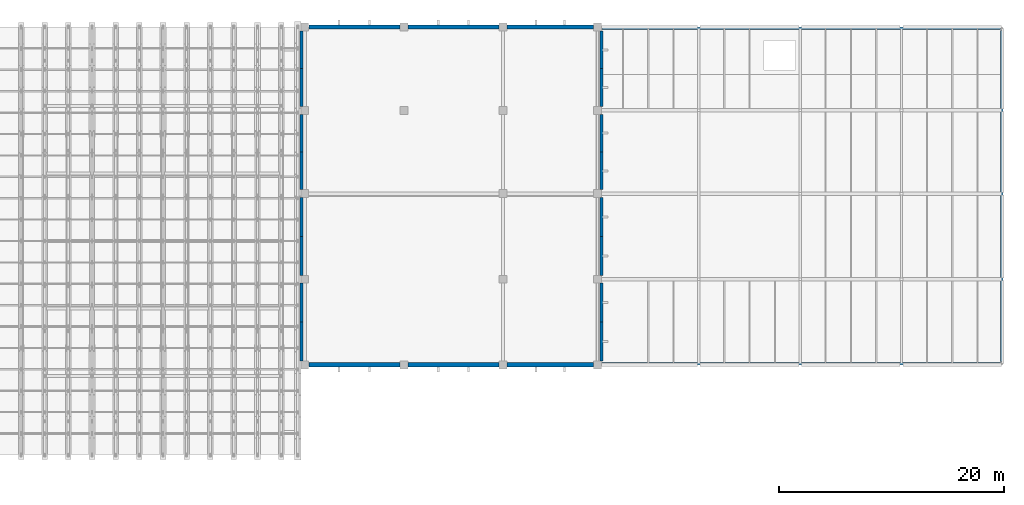
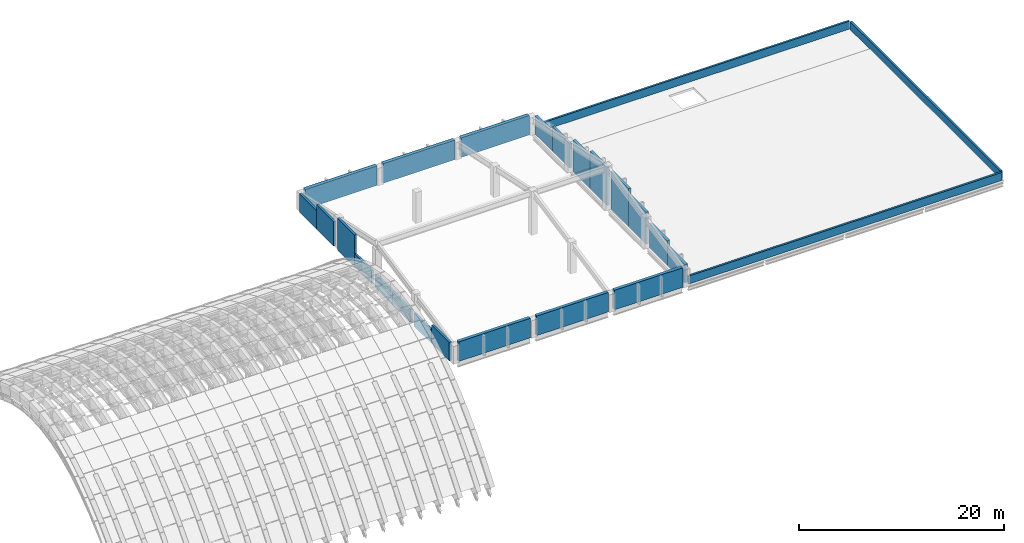
# One storey, part 66 of 67: 25 walls.
"""IFC4 building model written with IfcOpenShell, lengths in metres."""

from ifc_helpers import new_model, si_unit, direction, frame, frame_2d, origin, place, context, subcontext, project, spatial, rectangle, extrude, material, layer, layer_set, type_object, element, save


model = new_model("IFC4")

# Units and contexts
model_context = context("Model", 3, precision=1e-05, world=origin(), true_north=direction((0.0, 1.0)))
body_context = subcontext(model_context, "Body", "Model", "MODEL_VIEW")
ifc_project = project(units=[si_unit("LENGTHUNIT", "METRE"), si_unit("AREAUNIT", "SQUARE_METRE"), si_unit("VOLUMEUNIT", "CUBIC_METRE"), si_unit("PLANEANGLEUNIT", "RADIAN"), si_unit("MASSUNIT", "GRAM", prefix="KILO")], contexts=[model_context])

# Site, building, storey
site_placement = place(None, origin())
site = spatial("IfcSite", under=ifc_project, at=site_placement, CompositionType="ELEMENT")
building_placement = place(site_placement, origin())
building = spatial("IfcBuilding", under=site, at=building_placement, Name="Shengluoqiao Park Theatre", CompositionType="ELEMENT")
storey_placement = place(building_placement, frame((0.0, 0.0, 28.60009765625)))
storey = spatial("IfcBuildingStorey", under=building, at=storey_placement, Name="Roof", CompositionType="ELEMENT", Elevation=28.60009765625)

# Walls
ifc_material_1 = material(Name="Concrete C40", Category="concrete")
ifc_layer_1 = layer(ifc_material_1, 0.27001953125, Name="Concrete C40")
ifc_layer_set_1 = layer_set([ifc_layer_1], Name="Concrete C40")
wall_type_1 = type_object("IfcWallType", Name="ENV-WL-CONC270", PredefinedType="STANDARD", material=ifc_layer_set_1)
wall_1_placement = place(storey_placement, frame((112.739990234375, 84.35009765625, 0.0), z_axis=(0.0, 0.0, 1.0), x_axis=(0.0, 1.0, 0.0)))
element("IfcWall", 1, at=wall_1_placement, inside=storey, type_object=wall_type_1, Name="Roof Exterior Wall 0310", PredefinedType="STANDARD", context=body_context, shape_type="SweptSolid", body=[
    extrude(rectangle(XDim=3.449951171875, YDim=0.27001953125, at=frame_2d((1.72509765625, 0.0))), origin(), (0.0, 0.0, 1.0), 2.206298828125),
])
wall_2_placement = place(storey_placement, frame((112.739990234375, 87.800048828125, 0.0), z_axis=(0.0, 0.0, 1.0), x_axis=(0.0, 1.0, 0.0)))
element("IfcWall", 2, at=wall_2_placement, inside=storey, type_object=wall_type_1, Name="Roof Exterior Wall 0312", PredefinedType="STANDARD", context=body_context, shape_type="SweptSolid", body=[
    extrude(rectangle(XDim=3.449951171875, YDim=0.27001953125, at=frame_2d((1.72509765625, 0.0))), origin(), (0.0, 0.0, 1.0), 2.939697265625),
])
wall_3_placement = place(storey_placement, frame((112.739990234375, 91.949951171875, 0.0), z_axis=(0.0, 0.0, 1.0), x_axis=(0.0, 1.0, 0.0)))
element("IfcWall", 3, at=wall_3_placement, inside=storey, type_object=wall_type_1, Name="Roof Exterior Wall 0314", PredefinedType="STANDARD", context=body_context, shape_type="SweptSolid", body=[
    extrude(rectangle(XDim=3.449951171875, YDim=0.27001953125, at=frame_2d((1.72509765625, 0.0))), origin(), (0.0, 0.0, 1.0), 3.82177734375),
])
wall_4_placement = place(storey_placement, frame((112.739990234375, 95.39990234375, 0.0), z_axis=(0.0, 0.0, 1.0), x_axis=(0.0, 1.0, 0.0)))
element("IfcWall", 4, at=wall_4_placement, inside=storey, type_object=wall_type_1, Name="Roof Exterior Wall 0316", PredefinedType="STANDARD", context=body_context, shape_type="SweptSolid", body=[
    extrude(rectangle(XDim=3.4501953125, YDim=0.27001953125, at=frame_2d((1.72509765625, 0.0))), origin(), (0.0, 0.0, 1.0), 4.554931640625),
])
wall_5_placement = place(storey_placement, frame((112.739990234375, 99.550048828125, 0.0), z_axis=(0.0, 0.0, 1.0), x_axis=(0.0, 1.0, 0.0)))
element("IfcWall", 5, at=wall_5_placement, inside=storey, type_object=wall_type_1, Name="Roof Exterior Wall 0318", PredefinedType="STANDARD", context=body_context, shape_type="SweptSolid", body=[
    extrude(rectangle(XDim=3.349853515625, YDim=0.27001953125, at=frame_2d((1.6748046875, 0.0))), origin(), (0.0, 0.0, 1.0), 4.4912109375),
])
wall_6_placement = place(storey_placement, frame((112.739990234375, 102.89990234375, 0.0), z_axis=(0.0, 0.0, 1.0), x_axis=(0.0, 1.0, 0.0)))
element("IfcWall", 6, at=wall_6_placement, inside=storey, type_object=wall_type_1, Name="Roof Exterior Wall 0320", PredefinedType="STANDARD", context=body_context, shape_type="SweptSolid", body=[
    extrude(rectangle(XDim=3.35009765625, YDim=0.27001953125, at=frame_2d((1.675048828125, 0.0))), origin(), (0.0, 0.0, 1.0), 3.779296875),
])
wall_7_placement = place(storey_placement, frame((112.739990234375, 106.949951171875, 0.0), z_axis=(0.0, 0.0, 1.0), x_axis=(0.0, 1.0, 0.0)))
element("IfcWall", 7, at=wall_7_placement, inside=storey, type_object=wall_type_1, Name="Roof Exterior Wall 0322", PredefinedType="STANDARD", context=body_context, shape_type="SweptSolid", body=[
    extrude(rectangle(XDim=3.35009765625, YDim=0.27001953125, at=frame_2d((1.675048828125, 0.0))), origin(), (0.0, 0.0, 1.0), 2.91845703125),
])
wall_8_placement = place(storey_placement, frame((112.739990234375, 110.300048828125, 0.0), z_axis=(0.0, 0.0, 1.0), x_axis=(0.0, 1.0, 0.0)))
element("IfcWall", 8, at=wall_8_placement, inside=storey, type_object=wall_type_1, Name="Roof Exterior Wall 0324", PredefinedType="STANDARD", context=body_context, shape_type="SweptSolid", body=[
    extrude(rectangle(XDim=3.349853515625, YDim=0.27001953125, at=frame_2d((1.6748046875, 0.0))), origin(), (0.0, 0.0, 1.0), 2.206298828125),
])
ifc_material_2 = material(Name="Concrete C45", Category="concrete")
ifc_layer_2 = layer(ifc_material_2, 0.3798828125, Name="Concrete C45")
ifc_layer_set_2 = layer_set([ifc_layer_2], Name="Concrete C45")
wall_type_2 = type_object("IfcWallType", Name="ENV-WL-CONC380", PredefinedType="STANDARD", material=ifc_layer_set_2)
for number, where, z_axis, x_axis, name in (
    (9, (86.75390625, 114.0, 0.0), (0.0, 0.0, 1.0), (1.0, 0.0, 0.0), "Roof Exterior Wall 0304"),
    (10, (95.553955078125, 114.0, 0.0), (0.0, 0.0, 1.0), (1.0, 0.0, 0.0), "Roof Exterior Wall 0305"),
):
    element("IfcWall", number, at=place(storey_placement, frame(where, z_axis=z_axis, x_axis=x_axis)), inside=storey, type_object=wall_type_2, Name=name, PredefinedType="STANDARD", context=body_context, shape_type="SweptSolid", body=[
        extrude(rectangle(XDim=8.092041015625, YDim=0.3798828125, at=frame_2d((4.0458984375, 0.0))), origin(), (0.0, 0.0, 1.0), 2.33984375),
    ])
wall_9_placement = place(storey_placement, frame((104.35400390625, 114.0, 0.0), z_axis=(0.0, 0.0, 1.0), x_axis=(1.0, 0.0, 0.0)))
element("IfcWall", 11, at=wall_9_placement, inside=storey, type_object=wall_type_2, Name="Roof Exterior Wall 0306", PredefinedType="STANDARD", context=body_context, shape_type="SweptSolid", body=[
    extrude(rectangle(XDim=7.69189453125, YDim=0.3798828125, at=frame_2d((3.845947265625, 0.0))), origin(), (0.0, 0.0, 1.0), 2.33984375),
])
for number, where, z_axis, x_axis, name in (
    (12, (86.75390625, 84.0, 0.0), (0.0, 0.0, 1.0), (1.0, 0.0, 0.0), "Roof Exterior Wall 0307"),
    (13, (95.553955078125, 84.0, 0.0), (0.0, 0.0, 1.0), (1.0, 0.0, 0.0), "Roof Exterior Wall 0308"),
):
    element("IfcWall", number, at=place(storey_placement, frame(where, z_axis=z_axis, x_axis=x_axis)), inside=storey, type_object=wall_type_2, Name=name, PredefinedType="STANDARD", context=body_context, shape_type="SweptSolid", body=[
        extrude(rectangle(XDim=8.092041015625, YDim=0.3798828125, at=frame_2d((4.0458984375, 0.0))), origin(), (0.0, 0.0, 1.0), 2.33984375),
    ])
wall_10_placement = place(storey_placement, frame((104.35400390625, 84.0, 0.0), z_axis=(0.0, 0.0, 1.0), x_axis=(1.0, 0.0, 0.0)))
element("IfcWall", 14, at=wall_10_placement, inside=storey, type_object=wall_type_2, Name="Roof Exterior Wall 0309", PredefinedType="STANDARD", context=body_context, shape_type="SweptSolid", body=[
    extrude(rectangle(XDim=7.69189453125, YDim=0.3798828125, at=frame_2d((3.845947265625, 0.0))), origin(), (0.0, 0.0, 1.0), 2.33984375),
])
ifc_material_3 = material(Name="Precast concrete C45", Category="concrete")
ifc_layer_3 = layer(ifc_material_3, 0.25, Name="Precast concrete C45")
ifc_layer_set_3 = layer_set([ifc_layer_3], Name="Precast concrete C45")
wall_type_3 = type_object("IfcWallType", Name="ENV-WL-CRYS250", PredefinedType="STANDARD", material=ifc_layer_set_3)
wall_11_placement = place(storey_placement, frame((86.110107421875, 84.35009765625, 0.0), z_axis=(0.0, 0.0, 1.0), x_axis=(0.0, 1.0, 0.0)))
element("IfcWall", 15, at=wall_11_placement, inside=storey, type_object=wall_type_3, Name="Roof Exterior Wall 0311", PredefinedType="STANDARD", context=body_context, shape_type="SweptSolid", body=[
    extrude(rectangle(XDim=3.449951171875, YDim=0.25, at=frame_2d((1.72509765625, 0.0))), origin(), (0.0, 0.0, 1.0), 2.206298828125),
])
for number, where, z_axis, x_axis, name in (
    (16, (86.110107421875, 87.800048828125, 0.0), (0.0, 0.0, 1.0), (0.0, 1.0, 0.0), "Roof Exterior Wall 0313"),
    (17, (86.110107421875, 91.949951171875, 0.0), (0.0, 0.0, 1.0), (0.0, 1.0, 0.0), "Roof Exterior Wall 0315"),
):
    element("IfcWall", number, at=place(storey_placement, frame(where, z_axis=z_axis, x_axis=x_axis)), inside=storey, type_object=wall_type_3, Name=name, PredefinedType="STANDARD", context=body_context, shape_type="SweptSolid", body=[
        extrude(rectangle(XDim=3.449951171875, YDim=0.25, at=frame_2d((1.72509765625, 0.0))), origin(), (0.0, 0.0, 1.0), 1.5498046875),
    ])
wall_12_placement = place(storey_placement, frame((86.110107421875, 95.39990234375, 0.0), z_axis=(0.0, 0.0, 1.0), x_axis=(0.0, 1.0, 0.0)))
element("IfcWall", 18, at=wall_12_placement, inside=storey, type_object=wall_type_3, Name="Roof Exterior Wall 0317", PredefinedType="STANDARD", context=body_context, shape_type="SweptSolid", body=[
    extrude(rectangle(XDim=3.4501953125, YDim=0.25, at=frame_2d((1.72509765625, 0.0))), origin(), (0.0, 0.0, 1.0), 1.5498046875),
])
wall_13_placement = place(storey_placement, frame((86.110107421875, 99.550048828125, 0.0), z_axis=(0.0, 0.0, 1.0), x_axis=(0.0, 1.0, 0.0)))
element("IfcWall", 19, at=wall_13_placement, inside=storey, type_object=wall_type_3, Name="Roof Exterior Wall 0319", PredefinedType="STANDARD", context=body_context, shape_type="SweptSolid", body=[
    extrude(rectangle(XDim=3.349853515625, YDim=0.25, at=frame_2d((1.6748046875, 0.0))), origin(), (0.0, 0.0, 1.0), 1.5498046875),
])
wall_14_placement = place(storey_placement, frame((86.110107421875, 102.89990234375, 0.0), z_axis=(0.0, 0.0, 1.0), x_axis=(0.0, 1.0, 0.0)))
element("IfcWall", 20, at=wall_14_placement, inside=storey, type_object=wall_type_3, Name="Roof Exterior Wall 0321", PredefinedType="STANDARD", context=body_context, shape_type="SweptSolid", body=[
    extrude(rectangle(XDim=3.35009765625, YDim=0.25, at=frame_2d((1.675048828125, 0.0))), origin(), (0.0, 0.0, 1.0), 3.779296875),
])
wall_15_placement = place(storey_placement, frame((86.110107421875, 106.949951171875, 0.0), z_axis=(0.0, 0.0, 1.0), x_axis=(0.0, 1.0, 0.0)))
element("IfcWall", 21, at=wall_15_placement, inside=storey, type_object=wall_type_3, Name="Roof Exterior Wall 0323", PredefinedType="STANDARD", context=body_context, shape_type="SweptSolid", body=[
    extrude(rectangle(XDim=3.35009765625, YDim=0.25, at=frame_2d((1.675048828125, 0.0))), origin(), (0.0, 0.0, 1.0), 2.91845703125),
])
wall_16_placement = place(storey_placement, frame((86.110107421875, 110.300048828125, 0.0), z_axis=(0.0, 0.0, 1.0), x_axis=(0.0, 1.0, 0.0)))
element("IfcWall", 22, at=wall_16_placement, inside=storey, type_object=wall_type_3, Name="Roof Exterior Wall 0325", PredefinedType="STANDARD", context=body_context, shape_type="SweptSolid", body=[
    extrude(rectangle(XDim=3.349853515625, YDim=0.25, at=frame_2d((1.6748046875, 0.0))), origin(), (0.0, 0.0, 1.0), 2.206298828125),
])
ifc_layer_4 = layer(ifc_material_1, 0.219970703125, Name="Concrete C40")
ifc_layer_set_4 = layer_set([ifc_layer_4], Name="Concrete C40")
wall_type_4 = type_object("IfcWallType", Name="ENV-WL-PARA220", PredefinedType="PARAPET", material=ifc_layer_set_4)
wall_17_placement = place(storey_placement, frame((112.800048828125, 84.10009765625, 0.0), z_axis=(0.0, 0.0, 1.0), x_axis=(1.0, 0.0, 0.0)))
element("IfcWall", 23, at=wall_17_placement, inside=storey, type_object=wall_type_4, Name="Roof Roof Parapet Upstand 01", PredefinedType="PARAPET", context=body_context, shape_type="SweptSolid", body=[
    extrude(rectangle(XDim=35.39990234375, YDim=0.219970703125, at=frame_2d((17.699951171875, 0.0))), origin(), (0.0, 0.0, 1.0), 0.949951171875),
])
wall_18_placement = place(storey_placement, frame((148.300048828125, 84.300048828125, 0.0), z_axis=(0.0, 0.0, 1.0), x_axis=(0.0, 1.0, 0.0)))
element("IfcWall", 24, at=wall_18_placement, inside=storey, type_object=wall_type_4, Name="Roof Roof Parapet Upstand 02", PredefinedType="PARAPET", context=body_context, shape_type="SweptSolid", body=[
    extrude(rectangle(XDim=29.39990234375, YDim=0.219970703125, at=frame_2d((14.699951171875, 0.0))), origin(), (0.0, 0.0, 1.0), 0.949951171875),
])
wall_19_placement = place(storey_placement, frame((148.199951171875, 113.89990234375, 0.0), z_axis=(0.0, 0.0, 1.0), x_axis=(-1.0, 0.0, 0.0)))
element("IfcWall", 25, at=wall_19_placement, inside=storey, type_object=wall_type_4, Name="Roof Roof Parapet Upstand 03", PredefinedType="PARAPET", context=body_context, shape_type="SweptSolid", body=[
    extrude(rectangle(XDim=35.39990234375, YDim=0.219970703125, at=frame_2d((17.699951171875, 0.0))), origin(), (0.0, 0.0, 1.0), 0.949951171875),
])

save(model, "model.ifc")
